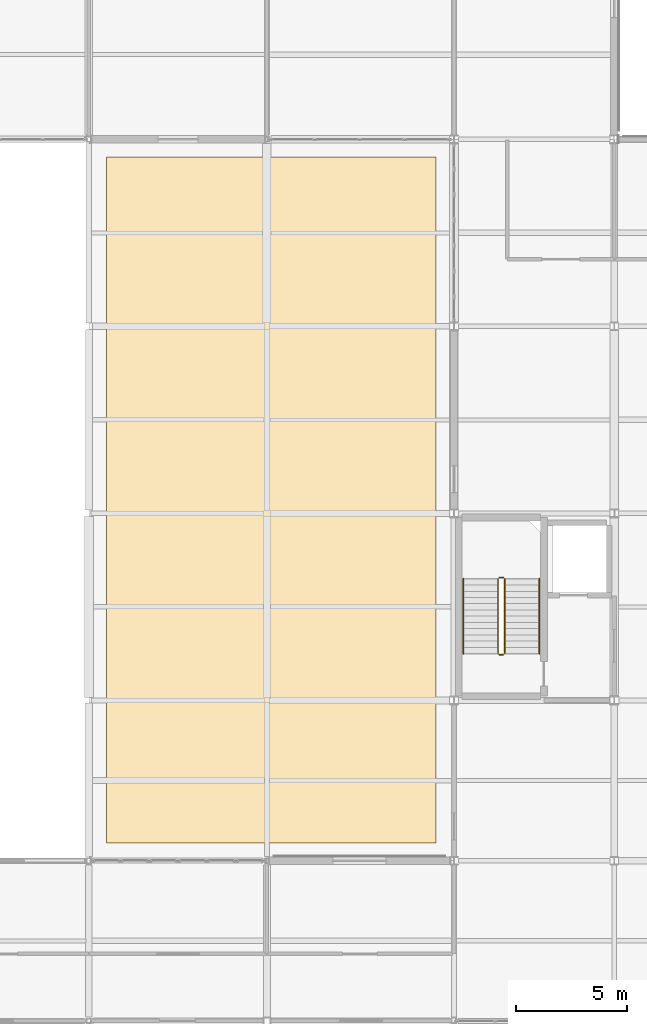
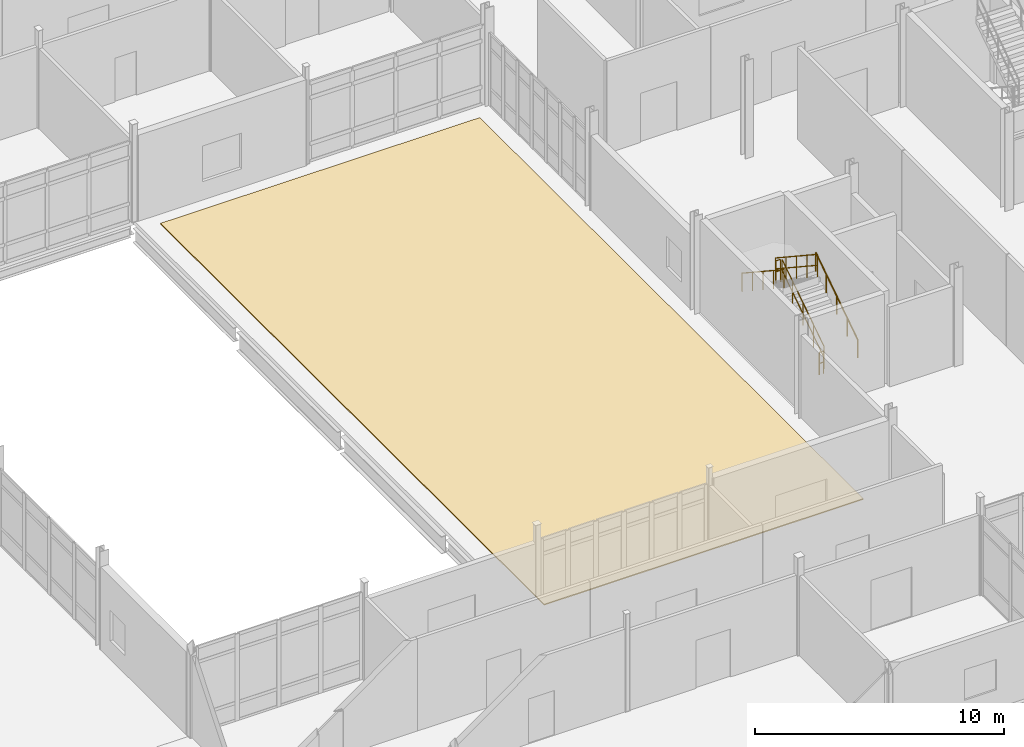
# One storey, part 174 of 186: 6 railings, 1 covering.
"""IFC4 building model written with IfcOpenShell, lengths in metres."""

from ifc_helpers import new_model, si_unit, direction, frame, origin, origin_2d, place, context, subcontext, project, spatial, polyline, circle, outline, extrude, material, layer, layer_set, type_object, element, save


model = new_model("IFC4")

# Units and contexts
model_context = context("Model", 3, precision=1e-05, world=origin(), true_north=direction((0.0, 1.0)))
body_context = subcontext(model_context, "Body", "Model", "MODEL_VIEW")
ifc_project = project(units=[si_unit("LENGTHUNIT", "METRE"), si_unit("AREAUNIT", "SQUARE_METRE"), si_unit("VOLUMEUNIT", "CUBIC_METRE"), si_unit("PLANEANGLEUNIT", "RADIAN"), si_unit("MASSUNIT", "GRAM", prefix="KILO")], contexts=[model_context])

# Site, building, storey
site_placement = place(None, origin())
site = spatial("IfcSite", under=ifc_project, at=site_placement, CompositionType="ELEMENT")
building_placement = place(site_placement, origin())
building = spatial("IfcBuilding", under=site, at=building_placement, Name="Calvrana Isthmian Art Gallery", CompositionType="ELEMENT")
storey_placement = place(building_placement, frame((0.0, 0.0, 5.39990234375)))
storey = spatial("IfcBuildingStorey", under=building, at=storey_placement, Name="L01", CompositionType="ELEMENT", Elevation=5.39990234375)

# Covering
ifc_material_1 = material(Name="Standing-seam zinc-aluminium roofing", Category="aluminium")
ifc_layer = layer(ifc_material_1, 0.050048828125, Name="Standing-seam zinc-aluminium roofing")
ifc_layer_set = layer_set([ifc_layer], Name="Standing-seam zinc-aluminium roofing")
covering_type = type_object("IfcCoveringType", Name="COV-ROOF-ZINC", PredefinedType="ROOFING", material=ifc_layer_set)
covering_placement = place(storey_placement, origin())
element("IfcCovering", 1, at=covering_placement, inside=storey, type_object=covering_type, Name="Insulated roof membrane ROOF_V2E_L01", PredefinedType="ROOFING", context=body_context, shape_type="SweptSolid", body=[
    extrude(outline(polyline([(97.199951171875, 15.199951171875), (112.0, 15.199951171875), (112.0, 46.0), (97.199951171875, 46.0), (97.199951171875, 15.199951171875)])), origin(), (0.0, 0.0, 1.0), 0.050048828125),
])

# Railings
ifc_material_2 = material(Name="Stainless steel 316", Category="steel")
railing_type_1 = type_object("IfcRailingType", Name="RL-GUARD-1120", PredefinedType="BALUSTRADE", material=ifc_material_2)
railing_1_placement = place(storey_placement, frame((115.080078125, 23.699951171875, 0.184814453125)))
element("IfcRailing", 2, at=railing_1_placement, inside=storey, type_object=railing_type_1, Name="Stair ST-3 guard L01-1", PredefinedType="BALUSTRADE", context=body_context, shape_type="SweptSolid", body=[
    extrude(circle(Radius=0.02392578125, at=origin_2d()), frame((0.0, 0.0, 1.09619140625), z_axis=(0.0, 0.834876476806, 0.550437342915), x_axis=(-1.0, 0.0, 0.0)), (0.0, 0.0, 1.0), 4.024658203125),
    extrude(circle(Radius=0.02392578125, at=origin_2d()), frame((0.0, 0.0, 0.56005859375), z_axis=(0.0, 0.834876476806, 0.550437342915), x_axis=(-1.0, 0.0, 0.0)), (0.0, 0.0, 1.0), 4.024658203125),
    extrude(circle(Radius=0.02099609375, at=origin_2d()), origin(), (0.0, 0.0, 1.0), 1.072021484375),
    extrude(circle(Radius=0.02099609375, at=origin_2d()), frame((0.0, 0.840087890625, 0.5537109375)), (0.0, 0.0, 1.0), 1.072021484375),
    extrude(circle(Radius=0.02099609375, at=origin_2d()), frame((0.0, 1.68017578125, 1.107666015625)), (0.0, 0.0, 1.0), 1.072021484375),
    extrude(circle(Radius=0.02099609375, at=origin_2d()), frame((0.0, 2.52001953125, 1.66162109375)), (0.0, 0.0, 1.0), 1.072021484375),
    extrude(circle(Radius=0.02099609375, at=origin_2d()), frame((0.0, 3.360107421875, 2.21533203125)), (0.0, 0.0, 1.0), 1.072021484375),
])
railing_2_placement = place(storey_placement, frame((115.030029296875, 27.110107421875, 2.400146484375)))
element("IfcRailing", 3, at=railing_2_placement, inside=storey, type_object=railing_type_1, Name="Stair ST-3 guard L01-2", PredefinedType="BALUSTRADE", context=body_context, shape_type="SweptSolid", body=[
    extrude(circle(Radius=0.02392578125, at=origin_2d()), frame((0.0, 0.0, 1.09619140625), z_axis=(-1.0, 0.0, 0.0), x_axis=(0.0, -1.0, 0.0)), (0.0, 0.0, 1.0), 0.199951171875),
    extrude(circle(Radius=0.02392578125, at=origin_2d()), frame((0.0, 0.0, 0.56005859375), z_axis=(-1.0, 0.0, 0.0), x_axis=(0.0, -1.0, 0.0)), (0.0, 0.0, 1.0), 0.199951171875),
    extrude(circle(Radius=0.02099609375, at=origin_2d()), origin(), (0.0, 0.0, 1.0), 1.072021484375),
    extrude(circle(Radius=0.02099609375, at=origin_2d()), frame((-0.199951171875, 0.0, 0.0)), (0.0, 0.0, 1.0), 1.072021484375),
])
railing_3_placement = place(storey_placement, frame((114.780029296875, 27.06005859375, 2.584716796875)))
element("IfcRailing", 4, at=railing_3_placement, inside=storey, type_object=railing_type_1, Name="Stair ST-3 guard L01-3", PredefinedType="BALUSTRADE", context=body_context, shape_type="SweptSolid", body=[
    extrude(circle(Radius=0.02392578125, at=origin_2d()), frame((0.0, 0.0, 1.09619140625), z_axis=(0.0, -0.834876476806, 0.550437342915), x_axis=(1.0, 0.0, 0.0)), (0.0, 0.0, 1.0), 4.024658203125),
    extrude(circle(Radius=0.02392578125, at=origin_2d()), frame((0.0, 0.0, 0.56005859375), z_axis=(0.0, -0.834876476806, 0.550437342915), x_axis=(1.0, 0.0, 0.0)), (0.0, 0.0, 1.0), 4.024658203125),
    extrude(circle(Radius=0.02099609375, at=origin_2d()), origin(), (0.0, 0.0, 1.0), 1.072021484375),
    extrude(circle(Radius=0.02099609375, at=origin_2d()), frame((0.0, -0.840087890625, 0.5537109375)), (0.0, 0.0, 1.0), 1.072021484375),
    extrude(circle(Radius=0.02099609375, at=origin_2d()), frame((0.0, -1.68017578125, 1.107666015625)), (0.0, 0.0, 1.0), 1.072021484375),
    extrude(circle(Radius=0.02099609375, at=origin_2d()), frame((0.0, -2.52001953125, 1.66162109375)), (0.0, 0.0, 1.0), 1.072021484375),
    extrude(circle(Radius=0.02099609375, at=origin_2d()), frame((0.0, -3.360107421875, 2.21533203125)), (0.0, 0.0, 1.0), 1.072021484375),
])
railing_4_placement = place(storey_placement, frame((115.030029296875, 23.64990234375, 0.0)))
element("IfcRailing", 5, at=railing_4_placement, inside=storey, type_object=railing_type_1, Name="Stair ST-3 guard L01-4", PredefinedType="BALUSTRADE", context=body_context, shape_type="SweptSolid", body=[
    extrude(circle(Radius=0.02392578125, at=origin_2d()), frame((0.0, 0.0, 1.09619140625), z_axis=(-1.0, 0.0, 0.0), x_axis=(0.0, -1.0, 0.0)), (0.0, 0.0, 1.0), 0.199951171875),
    extrude(circle(Radius=0.02392578125, at=origin_2d()), frame((0.0, 0.0, 0.56005859375), z_axis=(-1.0, 0.0, 0.0), x_axis=(0.0, -1.0, 0.0)), (0.0, 0.0, 1.0), 0.199951171875),
    extrude(circle(Radius=0.02099609375, at=origin_2d()), origin(), (0.0, 0.0, 1.0), 1.072021484375),
    extrude(circle(Radius=0.02099609375, at=origin_2d()), frame((-0.199951171875, 0.0, 0.0)), (0.0, 0.0, 1.0), 1.072021484375),
])
railing_type_2 = type_object("IfcRailingType", Name="RL-HAND-920", PredefinedType="HANDRAIL", material=ifc_material_2)
railing_5_placement = place(storey_placement, frame((116.639892578125, 23.699951171875, 0.184814453125)))
element("IfcRailing", 6, at=railing_5_placement, inside=storey, type_object=railing_type_2, Name="Stair ST-3 handrail L01-1", PredefinedType="HANDRAIL", context=body_context, shape_type="SweptSolid", body=[
    extrude(circle(Radius=0.02392578125, at=origin_2d()), frame((0.0, 0.0, 0.89599609375), z_axis=(0.0, 0.834876476806, 0.550437342915), x_axis=(-1.0, 0.0, 0.0)), (0.0, 0.0, 1.0), 4.024658203125),
    extrude(circle(Radius=0.02099609375, at=origin_2d()), origin(), (0.0, 0.0, 1.0), 0.871826171875),
    extrude(circle(Radius=0.02099609375, at=origin_2d()), frame((0.0, 0.840087890625, 0.5537109375)), (0.0, 0.0, 1.0), 0.871826171875),
    extrude(circle(Radius=0.02099609375, at=origin_2d()), frame((0.0, 1.68017578125, 1.107666015625)), (0.0, 0.0, 1.0), 0.871826171875),
    extrude(circle(Radius=0.02099609375, at=origin_2d()), frame((0.0, 2.52001953125, 1.66162109375)), (0.0, 0.0, 1.0), 0.871826171875),
    extrude(circle(Radius=0.02099609375, at=origin_2d()), frame((0.0, 3.360107421875, 2.21533203125)), (0.0, 0.0, 1.0), 0.871826171875),
])
railing_6_placement = place(storey_placement, frame((113.219970703125, 27.06005859375, 2.584716796875)))
element("IfcRailing", 7, at=railing_6_placement, inside=storey, type_object=railing_type_2, Name="Stair ST-3 handrail L01-2", PredefinedType="HANDRAIL", context=body_context, shape_type="SweptSolid", body=[
    extrude(circle(Radius=0.02392578125, at=origin_2d()), frame((0.0, 0.0, 0.89599609375), z_axis=(0.0, -0.834876476806, 0.550437342915), x_axis=(1.0, 0.0, 0.0)), (0.0, 0.0, 1.0), 4.024658203125),
    extrude(circle(Radius=0.02099609375, at=origin_2d()), origin(), (0.0, 0.0, 1.0), 0.871826171875),
    extrude(circle(Radius=0.02099609375, at=origin_2d()), frame((0.0, -0.840087890625, 0.5537109375)), (0.0, 0.0, 1.0), 0.871826171875),
    extrude(circle(Radius=0.02099609375, at=origin_2d()), frame((0.0, -1.68017578125, 1.107666015625)), (0.0, 0.0, 1.0), 0.871826171875),
    extrude(circle(Radius=0.02099609375, at=origin_2d()), frame((0.0, -2.52001953125, 1.66162109375)), (0.0, 0.0, 1.0), 0.871826171875),
    extrude(circle(Radius=0.02099609375, at=origin_2d()), frame((0.0, -3.360107421875, 2.21533203125)), (0.0, 0.0, 1.0), 0.871826171875),
])

save(model, "model.ifc")
